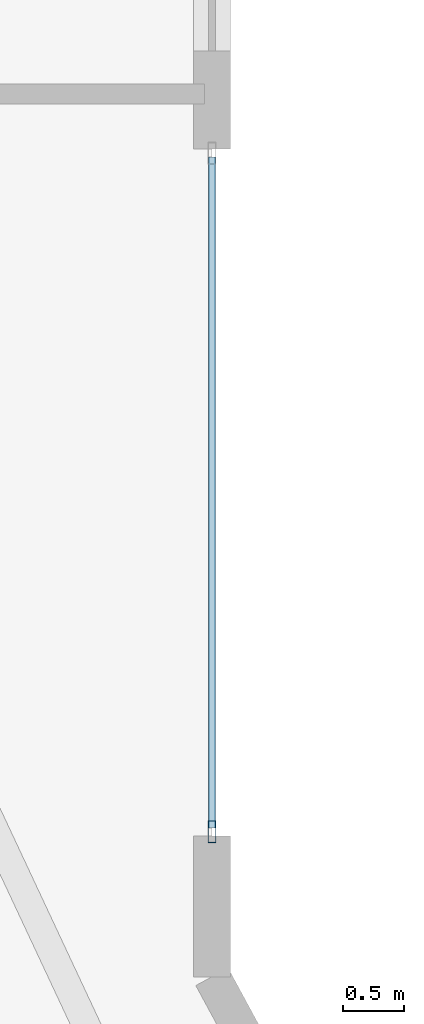
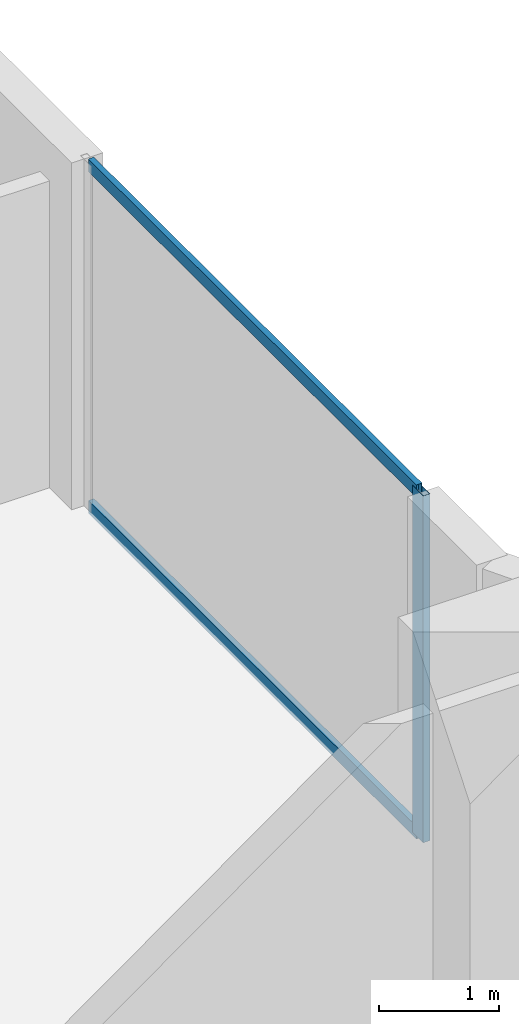
# One storey, part 15 of 33: 3 members, 1 element without a shape of its own.
"""IFC4 building model written with IfcOpenShell, lengths in metres."""

import ifcopenshell
import ifcopenshell.guid

model = None  # the IFC model being written
_history = None  # IfcOwnerHistory: only IFC2X3 demands one
_inside = {}  # id of a spatial element -> (the spatial element, [elements in it])
_under = {}  # id of a project, library or spatial element -> (it, [spatial elements below it])
_declared = {}  # id of a project -> (the project, [libraries it declares])
_typed = {}  # id of a type object -> (the type object, [elements of that type])
_made_of = {}  # id of a material, layer set ... -> (it, [elements and type objects made of it])


def new_model(schema):
    """Start an empty IFC model of exactly this schema.

    Asked for "IFC4X3", IfcOpenShell would pick the latest addendum, in which some entities
    have other attributes; the version numbers below select the first issue.
    IFC2X3 requires an IfcOwnerHistory on every rooted entity: one is made here for all.
    """
    global model, _history
    if schema == "IFC4X3":
        model = ifcopenshell.file(schema_version=(4, 3, 0, 0))
    else:
        model = ifcopenshell.file(schema=schema)
    _inside.clear()
    _under.clear()
    _declared.clear()
    _typed.clear()
    _made_of.clear()
    _history = None
    if model.schema == "IFC2X3":
        org = make("IfcOrganization", Name="unknown")
        user = make(
            "IfcPersonAndOrganization",
            ThePerson=make("IfcPerson", FamilyName="unknown"),
            TheOrganization=org,
        )
        app = make(
            "IfcApplication",
            ApplicationDeveloper=org,
            Version="unknown",
            ApplicationFullName="unknown",
            ApplicationIdentifier="unknown",
        )
        _history = make(
            "IfcOwnerHistory",
            OwningUser=user,
            OwningApplication=app,
            ChangeAction="ADDED",
            CreationDate=0,
        )
    return model


def make(cls, **values):
    """One entity of the class cls with the attributes given. An attribute that is None is left unset."""
    return model.create_entity(
        cls, **{name: value for name, value in values.items() if value is not None}
    )


def rooted(cls, **values):
    """An entity with a GlobalId (a new one), such as an element, a storey or a relation."""
    return make(cls, GlobalId=ifcopenshell.guid.new(), OwnerHistory=_history, **values)


def si_unit(unit_type, name, prefix=None):
    """IfcSIUnit, for example si_unit("LENGTHUNIT", "METRE", prefix="MILLI")."""
    return make("IfcSIUnit", UnitType=unit_type, Prefix=prefix, Name=name)


def assignment(units):
    """IfcUnitAssignment: the units of a project."""
    return None if units is None else make("IfcUnitAssignment", Units=units)


def point(xyz):
    """IfcCartesianPoint."""
    return None if xyz is None else make("IfcCartesianPoint", Coordinates=xyz)


def direction(xyz):
    """IfcDirection."""
    return None if xyz is None else make("IfcDirection", DirectionRatios=xyz)


def frame(location, z_axis=None, x_axis=None):
    """IfcAxis2Placement3D, a coordinate frame: its origin and axes. An axis left out is left unset."""
    return make(
        "IfcAxis2Placement3D",
        Location=point(location),
        Axis=direction(z_axis),
        RefDirection=direction(x_axis),
    )


def frame_2d(location, x_axis=None):
    """IfcAxis2Placement2D, a coordinate frame in the plane: its origin and x axis."""
    return make(
        "IfcAxis2Placement2D", Location=point(location), RefDirection=direction(x_axis)
    )


def origin():
    """The frame at (0, 0, 0) with its axes left unset."""
    return frame((0.0, 0.0, 0.0))


def origin_2d():
    """The frame at (0, 0) in the plane with its x axis left unset."""
    return frame_2d((0.0, 0.0))


def place(relative_to, where):
    """IfcLocalPlacement: puts the frame where relative to a parent placement (None: the world)."""
    return make(
        "IfcLocalPlacement", PlacementRelTo=relative_to, RelativePlacement=where
    )


def context(
    kind, dimensions, precision=None, world=None, true_north=None, identifier=None
):
    """IfcGeometricRepresentationContext, for example the 3D "Model" context."""
    return make(
        "IfcGeometricRepresentationContext",
        ContextIdentifier=identifier,
        ContextType=kind,
        CoordinateSpaceDimension=dimensions,
        Precision=precision,
        WorldCoordinateSystem=world,
        TrueNorth=true_north,
    )


def subcontext(parent, identifier, kind, view, scale=None):
    """IfcGeometricRepresentationSubContext, for example "Body" below "Model"."""
    return make(
        "IfcGeometricRepresentationSubContext",
        ContextIdentifier=identifier,
        ContextType=kind,
        ParentContext=parent,
        TargetScale=scale,
        TargetView=view,
    )


def project(units=None, contexts=None):
    """IfcProject with its units and contexts."""
    return rooted(
        "IfcProject",
        Name="project",
        RepresentationContexts=contexts,
        UnitsInContext=assignment(units),
    )


def spatial(cls, under=None, at=None, **own):
    """A site, building, storey or space (cls), placed at a placement, below another one or the project."""
    s = rooted(cls, ObjectPlacement=at, **own)
    if under is not None:
        _under.setdefault(under.id(), (under, []))[1].append(s)
    return s


def profile(cls, at=None, kind="AREA", **sizes):
    """A parametric profile (cls). Its sizes go by their IFC names, for example OverallWidth=200.0."""
    return make(cls, ProfileType=kind, Position=at, **sizes)


def hollow_rectangle(**sizes):
    """IfcRectangleHollowProfileDef."""
    return profile("IfcRectangleHollowProfileDef", **sizes)


def extrude(swept, where, along, depth):
    """IfcExtrudedAreaSolid: the profile swept, set in the frame where, extruded along a direction by depth."""
    return make(
        "IfcExtrudedAreaSolid",
        SweptArea=swept,
        Position=where,
        ExtrudedDirection=direction(along),
        Depth=depth,
    )


def shape(context_of_items, identifier, shape_type, items):
    """IfcShapeRepresentation: the items that make up one representation, for example the "Body"."""
    return make(
        "IfcShapeRepresentation",
        ContextOfItems=context_of_items,
        RepresentationIdentifier=identifier,
        RepresentationType=shape_type,
        Items=items,
    )


def material(Name=None, Category=None):
    """IfcMaterial."""
    return make("IfcMaterial", Name=Name, Category=Category)


def layer(
    of_material, thickness, ventilated=None, Name=None, Category=None, Priority=None
):
    """IfcMaterialLayer: one layer of a wall or slab, of a material (None: an air gap)."""
    return make(
        "IfcMaterialLayer",
        Material=of_material,
        LayerThickness=thickness,
        IsVentilated=ventilated,
        Name=Name,
        Category=Category,
        Priority=Priority,
    )


def layer_set(layers, Name=None):
    """IfcMaterialLayerSet."""
    return make("IfcMaterialLayerSet", MaterialLayers=layers, LayerSetName=Name)


def material_profile(
    of_material, cross_section, Name=None, Category=None, Priority=None
):
    """IfcMaterialProfile: a cross section and its material."""
    return make(
        "IfcMaterialProfile",
        Name=Name,
        Material=of_material,
        Profile=cross_section,
        Priority=Priority,
        Category=Category,
    )


def profile_set(profiles, Name=None, composite=None):
    """IfcMaterialProfileSet."""
    return make(
        "IfcMaterialProfileSet",
        Name=Name,
        MaterialProfiles=profiles,
        CompositeProfile=composite,
    )


def made_of(thing, what):
    """Note that an element or type object is made of a material, layer set ...; save() writes the relation."""
    if what is not None:
        _made_of.setdefault(what.id(), (what, []))[1].append(thing)
    return thing


def type_object(cls, material=None, **own):
    """A type object (cls), such as IfcWallType, which elements share."""
    return made_of(rooted(cls, **own), material)


def element(
    cls,
    number,
    at=None,
    inside=None,
    cuts=None,
    type_object=None,
    material=None,
    context=None,
    identifier="Body",
    shape_type=None,
    held_by="IfcProductDefinitionShape",
    body=None,
    shapes=None,
    **own,
):
    """One element of the class cls, such as IfcWall. Its Tag is "e" and its number.

    at: its placement. inside: the storey or other place that contains it. cuts: it is an
    opening in that element (IfcRelVoidsElement). A single representation is given by context,
    identifier, shape_type and body (its items); several are given by shapes. held_by: the class
    of the entity that holds the representations. save() writes the other relations.
    """
    e = rooted(cls, Tag="e%d" % number, ObjectPlacement=at, **own)
    if body is not None:
        shapes = [shape(context, identifier, shape_type, body)]
    if shapes is not None:
        e.Representation = make(held_by, Representations=shapes)
    if inside is not None:
        _inside.setdefault(inside.id(), (inside, []))[1].append(e)
    if cuts is not None:
        rooted(
            "IfcRelVoidsElement", RelatingBuildingElement=cuts, RelatedOpeningElement=e
        )
    if type_object is not None:
        _typed.setdefault(type_object.id(), (type_object, []))[1].append(e)
    return made_of(e, material)


def aggregate(whole, parts):
    """IfcRelAggregates: a whole, such as a stair, and the parts it consists of."""
    return rooted("IfcRelAggregates", RelatingObject=whole, RelatedObjects=parts)


def save(model, path):
    """Write the relations noted so far, then the file.

    IfcRelAggregates (storeys below a building ...), IfcRelContainedInSpatialStructure (elements
    in a storey), IfcRelDefinesByType, IfcRelAssociatesMaterial and IfcRelDeclares: one each for
    every whole, place, type object, material and project.
    """
    for whole, parts in _under.values():
        aggregate(whole, parts)
    for where, things in _inside.values():
        rooted(
            "IfcRelContainedInSpatialStructure",
            RelatedElements=things,
            RelatingStructure=where,
        )
    for kind, things in _typed.values():
        rooted("IfcRelDefinesByType", RelatedObjects=things, RelatingType=kind)
    for what, things in _made_of.values():
        rooted("IfcRelAssociatesMaterial", RelatedObjects=things, RelatingMaterial=what)
    for by, libraries in _declared.values():
        rooted("IfcRelDeclares", RelatingContext=by, RelatedDefinitions=libraries)
    model.write(path)


model = new_model("IFC4")

# Units and contexts
model_context = context("Model", 3, precision=1e-05, world=origin(), true_north=direction((0.0, 1.0)))
body_context = subcontext(model_context, "Body", "Model", "MODEL_VIEW")
ifc_project = project(units=[si_unit("LENGTHUNIT", "METRE"), si_unit("AREAUNIT", "SQUARE_METRE"), si_unit("VOLUMEUNIT", "CUBIC_METRE"), si_unit("PLANEANGLEUNIT", "RADIAN"), si_unit("MASSUNIT", "GRAM", prefix="KILO")], contexts=[model_context])

# Site, building, storey
site_placement = place(None, origin())
site = spatial("IfcSite", under=ifc_project, at=site_placement, CompositionType="ELEMENT")
building_placement = place(site_placement, origin())
building = spatial("IfcBuilding", under=site, at=building_placement, Name="Zuhayl Quay Hotel", CompositionType="ELEMENT")
storey_placement = place(building_placement, frame((0.0, 0.0, 214.89990234375)))
storey = spatial("IfcBuildingStorey", under=building, at=storey_placement, Name="L54", CompositionType="ELEMENT", Elevation=214.89990234375)

# Curtain wall, members
ifc_material_1 = material(Name="Anodised Aluminium 6063-T6", Category="aluminium")
ifc_layer = layer(ifc_material_1, 0.175048828125, Name="Anodised Aluminium 6063-T6", Category="aluminium")
ifc_layer_set = layer_set([ifc_layer], Name="Anodised Aluminium 6063-T6")
curtain_wall_type = type_object("IfcCurtainWallType", Name="CW_SYS_Z3", PredefinedType="USERDEFINED", material=ifc_layer_set)
curtain_wall_placement = place(storey_placement, origin())
curtain_wall = element("IfcCurtainWall", 1, at=curtain_wall_placement, inside=storey, type_object=curtain_wall_type, Name="L54 Curtain Wall ENV_L54_E11_CW1", ObjectType="UNITISED CURTAIN WALL", PredefinedType="USERDEFINED")
ifc_material_2 = material(Name="Black-anodised aluminium 6063-T6", Category="aluminium")
ifc_material_profile_1 = material_profile(ifc_material_2, hollow_rectangle(XDim=0.06494140625, YDim=0.179931640625, WallThickness=0.00341796875, at=origin_2d()), Name="ALU180X65")
ifc_profile_set_1 = profile_set([ifc_material_profile_1], Name="Black-anodised aluminium 6063-T6")
member_type_1 = type_object("IfcMemberType", Name="MB_CW_MUL_180", PredefinedType="MULLION", material=ifc_profile_set_1)
member_1_placement = place(storey_placement, frame((22.10009765625, 18.982421875, 0.0), z_axis=(0.0, 0.0, 1.0), x_axis=(1.0, 0.0, 0.0)))
member_1 = element("IfcMember", 2, at=member_1_placement, type_object=member_type_1, Name="CW-Z3 mullion 2", PredefinedType="MULLION", context=body_context, shape_type="SweptSolid", body=[
    extrude(hollow_rectangle(XDim=0.06494140625, YDim=0.179931640625, WallThickness=0.00341796875, at=origin_2d()), origin(), (0.0, 0.0, 1.0), 3.530029296875),
])
ifc_material_profile_2 = material_profile(ifc_material_2, hollow_rectangle(XDim=0.054931640625, YDim=0.1298828125, WallThickness=0.0029296875, at=origin_2d()), Name="ALU130X55")
ifc_profile_set_2 = profile_set([ifc_material_profile_2], Name="Black-anodised aluminium 6063-T6")
member_type_2 = type_object("IfcMemberType", Name="MB_CW_TRN_130", PredefinedType="USERDEFINED", material=ifc_profile_set_2)
member_2_placement = place(storey_placement, frame((22.10009765625, 24.485107421875, 0.027587890625), z_axis=(0.0, -1.0, 0.0), x_axis=(1.0, 0.0, 0.0)))
member_2 = element("IfcMember", 3, at=member_2_placement, type_object=member_type_2, Name="CW-Z3 transom 1.1", ObjectType="TRANSOM", PredefinedType="USERDEFINED", context=body_context, shape_type="SweptSolid", body=[
    extrude(hollow_rectangle(XDim=0.054931640625, YDim=0.1298828125, WallThickness=0.0029296875, at=origin_2d()), origin(), (0.0, 0.0, 1.0), 5.47021484375),
])
member_3_placement = place(storey_placement, frame((22.10009765625, 24.485107421875, 3.502685546875), z_axis=(0.0, -1.0, 0.0), x_axis=(1.0, 0.0, 0.0)))
member_3 = element("IfcMember", 4, at=member_3_placement, type_object=member_type_2, Name="CW-Z3 transom 1.2", ObjectType="TRANSOM", PredefinedType="USERDEFINED", context=body_context, shape_type="SweptSolid", body=[
    extrude(hollow_rectangle(XDim=0.054931640625, YDim=0.1298828125, WallThickness=0.0029296875, at=origin_2d()), origin(), (0.0, 0.0, 1.0), 5.47021484375),
])
aggregate(curtain_wall, [member_1, member_2, member_3])

save(model, "model.ifc")
